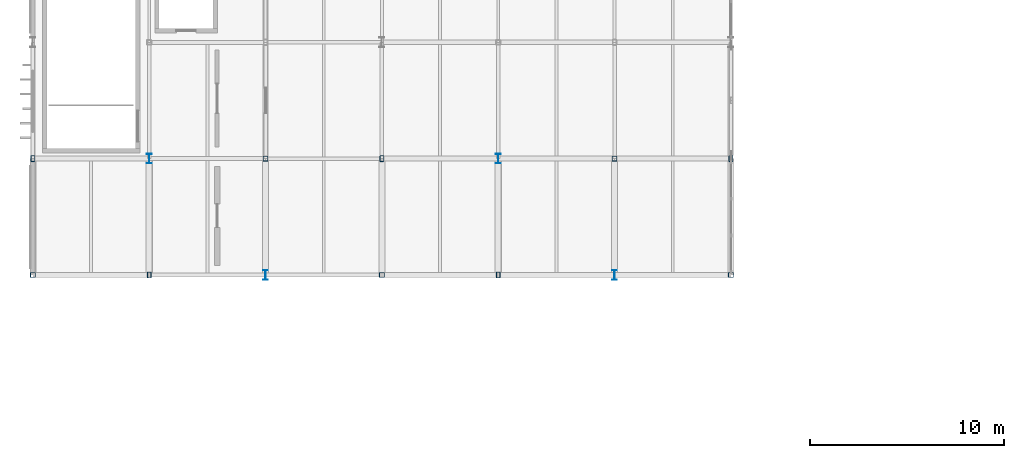
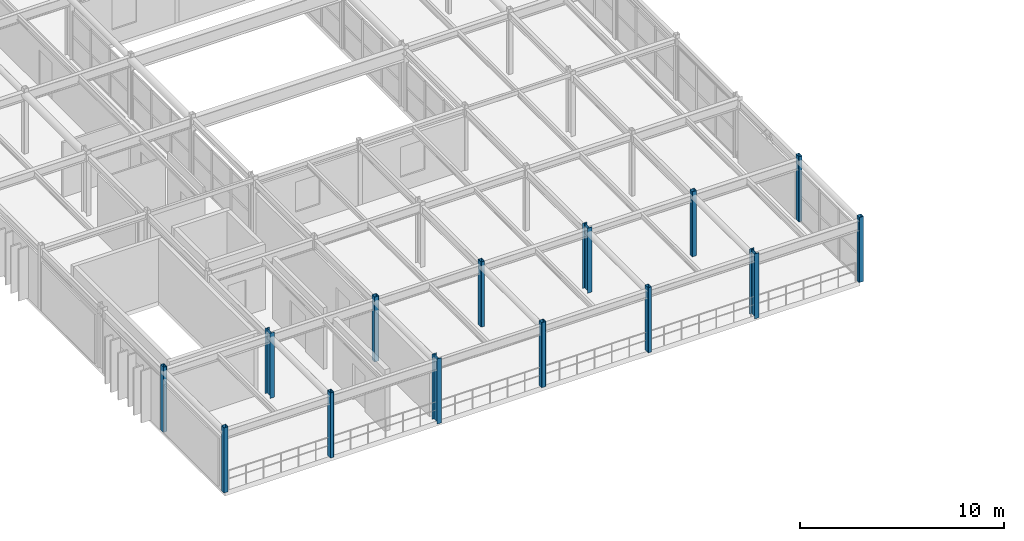
# One storey, part 1 of 63: 14 columns.
"""IFC4 building model written with IfcOpenShell, lengths in metres."""

import ifcopenshell
import ifcopenshell.guid

model = None  # the IFC model being written
_history = None  # IfcOwnerHistory: only IFC2X3 demands one
_inside = {}  # id of a spatial element -> (the spatial element, [elements in it])
_under = {}  # id of a project, library or spatial element -> (it, [spatial elements below it])
_declared = {}  # id of a project -> (the project, [libraries it declares])
_typed = {}  # id of a type object -> (the type object, [elements of that type])
_made_of = {}  # id of a material, layer set ... -> (it, [elements and type objects made of it])


def new_model(schema):
    """Start an empty IFC model of exactly this schema.

    Asked for "IFC4X3", IfcOpenShell would pick the latest addendum, in which some entities
    have other attributes; the version numbers below select the first issue.
    IFC2X3 requires an IfcOwnerHistory on every rooted entity: one is made here for all.
    """
    global model, _history
    if schema == "IFC4X3":
        model = ifcopenshell.file(schema_version=(4, 3, 0, 0))
    else:
        model = ifcopenshell.file(schema=schema)
    _inside.clear()
    _under.clear()
    _declared.clear()
    _typed.clear()
    _made_of.clear()
    _history = None
    if model.schema == "IFC2X3":
        org = make("IfcOrganization", Name="unknown")
        user = make(
            "IfcPersonAndOrganization",
            ThePerson=make("IfcPerson", FamilyName="unknown"),
            TheOrganization=org,
        )
        app = make(
            "IfcApplication",
            ApplicationDeveloper=org,
            Version="unknown",
            ApplicationFullName="unknown",
            ApplicationIdentifier="unknown",
        )
        _history = make(
            "IfcOwnerHistory",
            OwningUser=user,
            OwningApplication=app,
            ChangeAction="ADDED",
            CreationDate=0,
        )
    return model


def make(cls, **values):
    """One entity of the class cls with the attributes given. An attribute that is None is left unset."""
    return model.create_entity(
        cls, **{name: value for name, value in values.items() if value is not None}
    )


def rooted(cls, **values):
    """An entity with a GlobalId (a new one), such as an element, a storey or a relation."""
    return make(cls, GlobalId=ifcopenshell.guid.new(), OwnerHistory=_history, **values)


def si_unit(unit_type, name, prefix=None):
    """IfcSIUnit, for example si_unit("LENGTHUNIT", "METRE", prefix="MILLI")."""
    return make("IfcSIUnit", UnitType=unit_type, Prefix=prefix, Name=name)


def assignment(units):
    """IfcUnitAssignment: the units of a project."""
    return None if units is None else make("IfcUnitAssignment", Units=units)


def point(xyz):
    """IfcCartesianPoint."""
    return None if xyz is None else make("IfcCartesianPoint", Coordinates=xyz)


def direction(xyz):
    """IfcDirection."""
    return None if xyz is None else make("IfcDirection", DirectionRatios=xyz)


def frame(location, z_axis=None, x_axis=None):
    """IfcAxis2Placement3D, a coordinate frame: its origin and axes. An axis left out is left unset."""
    return make(
        "IfcAxis2Placement3D",
        Location=point(location),
        Axis=direction(z_axis),
        RefDirection=direction(x_axis),
    )


def frame_2d(location, x_axis=None):
    """IfcAxis2Placement2D, a coordinate frame in the plane: its origin and x axis."""
    return make(
        "IfcAxis2Placement2D", Location=point(location), RefDirection=direction(x_axis)
    )


def origin():
    """The frame at (0, 0, 0) with its axes left unset."""
    return frame((0.0, 0.0, 0.0))


def origin_2d():
    """The frame at (0, 0) in the plane with its x axis left unset."""
    return frame_2d((0.0, 0.0))


def place(relative_to, where):
    """IfcLocalPlacement: puts the frame where relative to a parent placement (None: the world)."""
    return make(
        "IfcLocalPlacement", PlacementRelTo=relative_to, RelativePlacement=where
    )


def context(
    kind, dimensions, precision=None, world=None, true_north=None, identifier=None
):
    """IfcGeometricRepresentationContext, for example the 3D "Model" context."""
    return make(
        "IfcGeometricRepresentationContext",
        ContextIdentifier=identifier,
        ContextType=kind,
        CoordinateSpaceDimension=dimensions,
        Precision=precision,
        WorldCoordinateSystem=world,
        TrueNorth=true_north,
    )


def subcontext(parent, identifier, kind, view, scale=None):
    """IfcGeometricRepresentationSubContext, for example "Body" below "Model"."""
    return make(
        "IfcGeometricRepresentationSubContext",
        ContextIdentifier=identifier,
        ContextType=kind,
        ParentContext=parent,
        TargetScale=scale,
        TargetView=view,
    )


def project(units=None, contexts=None):
    """IfcProject with its units and contexts."""
    return rooted(
        "IfcProject",
        Name="project",
        RepresentationContexts=contexts,
        UnitsInContext=assignment(units),
    )


def spatial(cls, under=None, at=None, **own):
    """A site, building, storey or space (cls), placed at a placement, below another one or the project."""
    s = rooted(cls, ObjectPlacement=at, **own)
    if under is not None:
        _under.setdefault(under.id(), (under, []))[1].append(s)
    return s


def profile(cls, at=None, kind="AREA", **sizes):
    """A parametric profile (cls). Its sizes go by their IFC names, for example OverallWidth=200.0."""
    return make(cls, ProfileType=kind, Position=at, **sizes)


def hollow_rectangle(**sizes):
    """IfcRectangleHollowProfileDef."""
    return profile("IfcRectangleHollowProfileDef", **sizes)


def i_section(**sizes):
    """IfcIShapeProfileDef."""
    return profile("IfcIShapeProfileDef", **sizes)


def extrude(swept, where, along, depth):
    """IfcExtrudedAreaSolid: the profile swept, set in the frame where, extruded along a direction by depth."""
    return make(
        "IfcExtrudedAreaSolid",
        SweptArea=swept,
        Position=where,
        ExtrudedDirection=direction(along),
        Depth=depth,
    )


def shape(context_of_items, identifier, shape_type, items):
    """IfcShapeRepresentation: the items that make up one representation, for example the "Body"."""
    return make(
        "IfcShapeRepresentation",
        ContextOfItems=context_of_items,
        RepresentationIdentifier=identifier,
        RepresentationType=shape_type,
        Items=items,
    )


def material(Name=None, Category=None):
    """IfcMaterial."""
    return make("IfcMaterial", Name=Name, Category=Category)


def material_profile(
    of_material, cross_section, Name=None, Category=None, Priority=None
):
    """IfcMaterialProfile: a cross section and its material."""
    return make(
        "IfcMaterialProfile",
        Name=Name,
        Material=of_material,
        Profile=cross_section,
        Priority=Priority,
        Category=Category,
    )


def profile_set(profiles, Name=None, composite=None):
    """IfcMaterialProfileSet."""
    return make(
        "IfcMaterialProfileSet",
        Name=Name,
        MaterialProfiles=profiles,
        CompositeProfile=composite,
    )


def made_of(thing, what):
    """Note that an element or type object is made of a material, layer set ...; save() writes the relation."""
    if what is not None:
        _made_of.setdefault(what.id(), (what, []))[1].append(thing)
    return thing


def type_object(cls, material=None, **own):
    """A type object (cls), such as IfcWallType, which elements share."""
    return made_of(rooted(cls, **own), material)


def element(
    cls,
    number,
    at=None,
    inside=None,
    cuts=None,
    type_object=None,
    material=None,
    context=None,
    identifier="Body",
    shape_type=None,
    held_by="IfcProductDefinitionShape",
    body=None,
    shapes=None,
    **own,
):
    """One element of the class cls, such as IfcWall. Its Tag is "e" and its number.

    at: its placement. inside: the storey or other place that contains it. cuts: it is an
    opening in that element (IfcRelVoidsElement). A single representation is given by context,
    identifier, shape_type and body (its items); several are given by shapes. held_by: the class
    of the entity that holds the representations. save() writes the other relations.
    """
    e = rooted(cls, Tag="e%d" % number, ObjectPlacement=at, **own)
    if body is not None:
        shapes = [shape(context, identifier, shape_type, body)]
    if shapes is not None:
        e.Representation = make(held_by, Representations=shapes)
    if inside is not None:
        _inside.setdefault(inside.id(), (inside, []))[1].append(e)
    if cuts is not None:
        rooted(
            "IfcRelVoidsElement", RelatingBuildingElement=cuts, RelatedOpeningElement=e
        )
    if type_object is not None:
        _typed.setdefault(type_object.id(), (type_object, []))[1].append(e)
    return made_of(e, material)


def aggregate(whole, parts):
    """IfcRelAggregates: a whole, such as a stair, and the parts it consists of."""
    return rooted("IfcRelAggregates", RelatingObject=whole, RelatedObjects=parts)


def save(model, path):
    """Write the relations noted so far, then the file.

    IfcRelAggregates (storeys below a building ...), IfcRelContainedInSpatialStructure (elements
    in a storey), IfcRelDefinesByType, IfcRelAssociatesMaterial and IfcRelDeclares: one each for
    every whole, place, type object, material and project.
    """
    for whole, parts in _under.values():
        aggregate(whole, parts)
    for where, things in _inside.values():
        rooted(
            "IfcRelContainedInSpatialStructure",
            RelatedElements=things,
            RelatingStructure=where,
        )
    for kind, things in _typed.values():
        rooted("IfcRelDefinesByType", RelatedObjects=things, RelatingType=kind)
    for what, things in _made_of.values():
        rooted("IfcRelAssociatesMaterial", RelatedObjects=things, RelatingMaterial=what)
    for by, libraries in _declared.values():
        rooted("IfcRelDeclares", RelatingContext=by, RelatedDefinitions=libraries)
    model.write(path)


model = new_model("IFC4")

# Units and contexts
model_context = context("Model", 3, precision=1e-05, world=origin(), true_north=direction((0.0, 1.0)))
body_context = subcontext(model_context, "Body", "Model", "MODEL_VIEW")
ifc_project = project(units=[si_unit("LENGTHUNIT", "METRE"), si_unit("AREAUNIT", "SQUARE_METRE"), si_unit("VOLUMEUNIT", "CUBIC_METRE"), si_unit("PLANEANGLEUNIT", "RADIAN"), si_unit("MASSUNIT", "GRAM", prefix="KILO")], contexts=[model_context])

# Site, building, storey
site_placement = place(None, origin())
site = spatial("IfcSite", under=ifc_project, at=site_placement, CompositionType="ELEMENT")
building_placement = place(site_placement, origin())
building = spatial("IfcBuilding", under=site, at=building_placement, Name="Varnakota Square Police Headquarters", CompositionType="ELEMENT")
storey_placement = place(building_placement, frame((0.0, 0.0, 22.199951171875)))
storey = spatial("IfcBuildingStorey", under=building, at=storey_placement, Name="L05", CompositionType="ELEMENT", Elevation=22.199951171875)

# Columns
ifc_material = material(Name="Steel IS 2062 Grade 350", Category="steel")
ifc_material_profile_1 = material_profile(ifc_material, i_section(OverallWidth=0.25, OverallDepth=0.5, WebThickness=0.010009765625, FlangeThickness=0.0146484375, FilletRadius=0.014892578125, at=origin_2d()), Name="ISWB 500")
ifc_profile_set_1 = profile_set([ifc_material_profile_1], Name="Steel IS 2062 Grade 350")
column_type_1 = type_object("IfcColumnType", Name="COL-ISWB500", PredefinedType="COLUMN", material=ifc_profile_set_1)
for number, where, z_axis, x_axis, name in (
    (1, (12.0, 27.0, 0.0), (0.0, 0.0, 1.0), (1.0, 0.0, 0.0), "Column X0120-Y0270 L05"),
    (2, (18.0, 21.0, 0.0), (0.0, 0.0, 1.0), (1.0, 0.0, 0.0), "Column X0180-Y0210 L05"),
    (3, (30.0, 27.0, 0.0), (0.0, 0.0, 1.0), (1.0, 0.0, 0.0), "Column X0300-Y0270 L05"),
    (4, (36.0, 21.0, 0.0), (0.0, 0.0, 1.0), (1.0, 0.0, 0.0), "Column X0360-Y0210 L05"),
):
    element("IfcColumn", number, at=place(storey_placement, frame(where, z_axis=z_axis, x_axis=x_axis)), inside=storey, type_object=column_type_1, Name=name, PredefinedType="COLUMN", context=body_context, shape_type="SweptSolid", body=[
        extrude(i_section(OverallWidth=0.25, OverallDepth=0.5, WebThickness=0.010009765625, FlangeThickness=0.0146484375, FilletRadius=0.014892578125, at=origin_2d()), origin(), (0.0, 0.0, 1.0), 3.900146484375),
    ])
ifc_material_profile_2 = material_profile(ifc_material, hollow_rectangle(XDim=0.199951171875, YDim=0.300048828125, WallThickness=0.011962890625, InnerFilletRadius=0.011962890625, OuterFilletRadius=0.02392578125, at=origin_2d()), Name="RHS 300x200x12")
ifc_profile_set_2 = profile_set([ifc_material_profile_2], Name="Steel IS 2062 Grade 350")
column_type_2 = type_object("IfcColumnType", Name="COL-RHS300", PredefinedType="COLUMN", material=ifc_profile_set_2)
for number, where, z_axis, x_axis, name in (
    (5, (6.0, 27.0, 0.0), (0.0, 0.0, 1.0), (1.0, 0.0, 0.0), "Column X0060-Y0270 L05"),
    (6, (12.0, 21.0, 0.0), (0.0, 0.0, 1.0), (1.0, 0.0, 0.0), "Column X0120-Y0210 L05"),
    (7, (24.0, 27.0, 0.0), (0.0, 0.0, 1.0), (1.0, 0.0, 0.0), "Column X0240-Y0270 L05"),
    (8, (30.0, 21.0, 0.0), (0.0, 0.0, 1.0), (1.0, 0.0, 0.0), "Column X0300-Y0210 L05"),
    (9, (42.0, 27.0, 0.0), (0.0, 0.0, 1.0), (1.0, 0.0, 0.0), "Column X0420-Y0270 L05"),
):
    element("IfcColumn", number, at=place(storey_placement, frame(where, z_axis=z_axis, x_axis=x_axis)), inside=storey, type_object=column_type_2, Name=name, PredefinedType="COLUMN", context=body_context, shape_type="SweptSolid", body=[
        extrude(hollow_rectangle(XDim=0.199951171875, YDim=0.300048828125, WallThickness=0.011962890625, InnerFilletRadius=0.011962890625, OuterFilletRadius=0.02392578125, at=origin_2d()), origin(), (0.0, 0.0, 1.0), 3.900146484375),
    ])
ifc_material_profile_3 = material_profile(ifc_material, hollow_rectangle(XDim=0.25, YDim=0.25, WallThickness=0.011962890625, InnerFilletRadius=0.011962890625, OuterFilletRadius=0.02392578125, at=origin_2d()), Name="SHS 250x250x12")
ifc_profile_set_3 = profile_set([ifc_material_profile_3], Name="Steel IS 2062 Grade 350")
column_type_3 = type_object("IfcColumnType", Name="COL-SHS250", PredefinedType="COLUMN", material=ifc_profile_set_3)
for number, where, z_axis, x_axis, name in (
    (10, (6.0, 21.0, 0.0), (0.0, 0.0, 1.0), (1.0, 0.0, 0.0), "Column X0060-Y0210 L05"),
    (11, (18.0, 27.0, 0.0), (0.0, 0.0, 1.0), (1.0, 0.0, 0.0), "Column X0180-Y0270 L05"),
    (12, (24.0, 21.0, 0.0), (0.0, 0.0, 1.0), (1.0, 0.0, 0.0), "Column X0240-Y0210 L05"),
    (13, (36.0, 27.0, 0.0), (0.0, 0.0, 1.0), (1.0, 0.0, 0.0), "Column X0360-Y0270 L05"),
    (14, (42.0, 21.0, 0.0), (0.0, 0.0, 1.0), (1.0, 0.0, 0.0), "Column X0420-Y0210 L05"),
):
    element("IfcColumn", number, at=place(storey_placement, frame(where, z_axis=z_axis, x_axis=x_axis)), inside=storey, type_object=column_type_3, Name=name, PredefinedType="COLUMN", context=body_context, shape_type="SweptSolid", body=[
        extrude(hollow_rectangle(XDim=0.25, YDim=0.25, WallThickness=0.011962890625, InnerFilletRadius=0.011962890625, OuterFilletRadius=0.02392578125, at=origin_2d()), origin(), (0.0, 0.0, 1.0), 3.900146484375),
    ])

save(model, "model.ifc")
